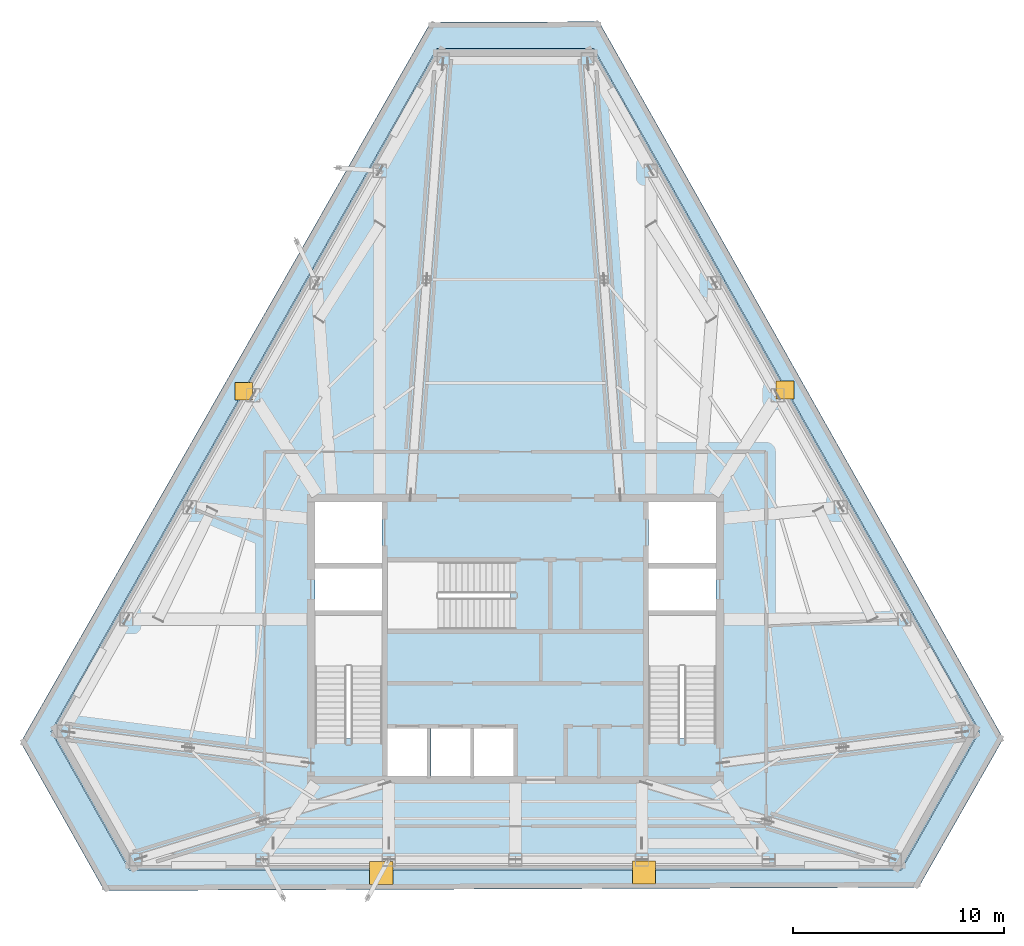
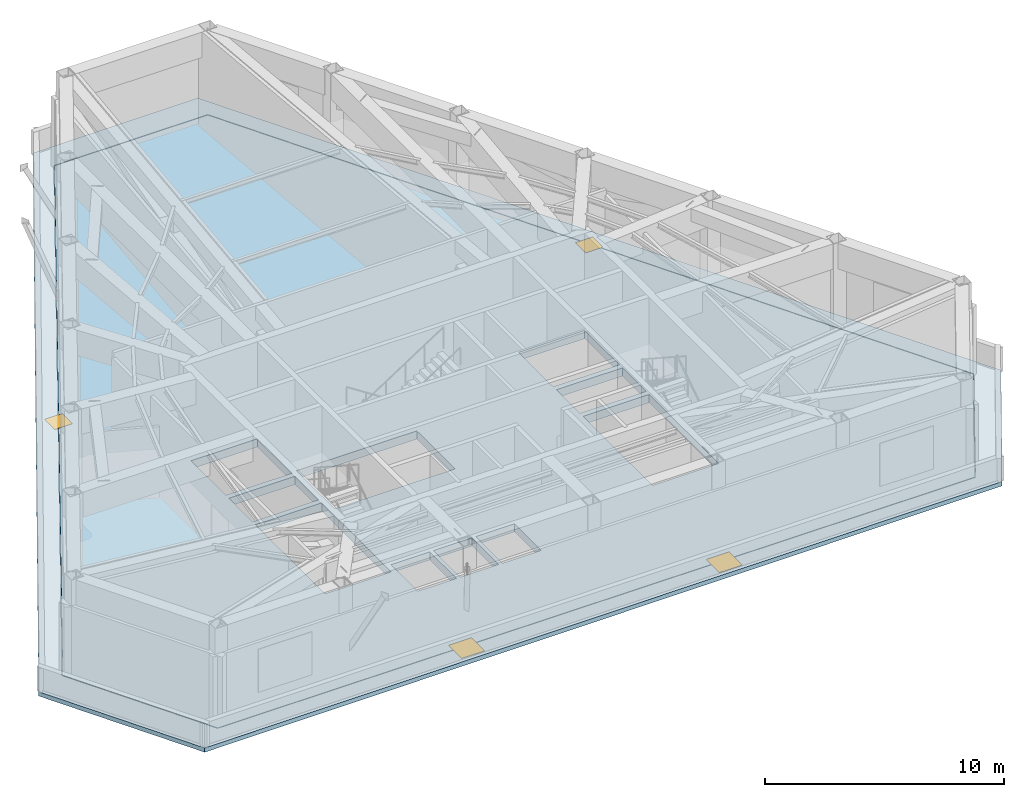
# One storey, part 4 of 13: 4 windows, 2 slabs, 4 openings.
"""IFC4 building model written with IfcOpenShell, lengths in metres."""

from ifc_helpers import new_model, si_unit, direction, frame, origin, origin_2d, place, context, subcontext, project, spatial, polyline, rectangle, outline, extrude, material, layer, layer_set, type_object, element, fill, save


model = new_model("IFC4")

# Units and contexts
model_context = context("Model", 3, precision=1e-05, world=origin(), true_north=direction((0.0, 1.0)))
body_context = subcontext(model_context, "Body", "Model", "MODEL_VIEW")
ifc_project = project(units=[si_unit("LENGTHUNIT", "METRE"), si_unit("AREAUNIT", "SQUARE_METRE"), si_unit("VOLUMEUNIT", "CUBIC_METRE"), si_unit("PLANEANGLEUNIT", "RADIAN"), si_unit("MASSUNIT", "GRAM", prefix="KILO")], contexts=[model_context])

# Site, building, storey
site_placement = place(None, origin())
site = spatial("IfcSite", under=ifc_project, at=site_placement, CompositionType="ELEMENT")
building_placement = place(site_placement, origin())
building = spatial("IfcBuilding", under=site, at=building_placement, Name="Kavelnor Concourse Tower", CompositionType="ELEMENT")
storey_placement = place(building_placement, frame((0.0, 0.0, 234.300048828125)))
storey = spatial("IfcBuildingStorey", under=building, at=storey_placement, Name="L59", CompositionType="ELEMENT", Elevation=234.300048828125)

# Slab, openings, windows
ifc_material_1 = material(Name="Concrete C40/50", Category="concrete")
ifc_layer_1 = layer(ifc_material_1, 0.219970703125, Name="Concrete C40/50")
ifc_layer_set_1 = layer_set([ifc_layer_1], Name="Concrete C40/50")
slab_type_1 = type_object("IfcSlabType", Name="SLB-SETBACK-ROOF-220", PredefinedType="ROOF", material=ifc_layer_set_1)
slab_1_placement = place(storey_placement, frame((0.0, 0.0, -0.219970703125)))
slab_1 = element("IfcSlab", 1, at=slab_1_placement, inside=storey, type_object=slab_type_1, Name="L59 Setback Structural Roof Slab 1", PredefinedType="ROOF", context=body_context, shape_type="SweptSolid", body=[
    extrude(outline(polyline([(61.170654296875, 11.36767578125), (57.147216796875, 4.299560546875), (18.482421875, 4.1484375), (14.51318359375, 11.185302734375), (33.976806640625, 45.377685546875), (41.96923828125, 45.4091796875), (61.170654296875, 11.36767578125)]), holes=[polyline([(34.27978515625, 44.143798828125), (15.952880859375, 11.70703125), (19.672607421875, 5.123291015625), (56.327392578125, 5.123291015625), (60.047119140625, 11.70703125), (41.72021484375, 44.143798828125), (34.27978515625, 44.143798828125)])]), origin(), (0.0, 0.0, 1.0), 0.219970703125),
])
opening_1_placement = place(slab_1_placement, frame((25.10498046875, 27.8583984375, 0.0)))
opening_1 = element("IfcOpeningElement", 2, at=opening_1_placement, cuts=slab_1, Name="Opening SK-01", PredefinedType="OPENING", context=body_context, shape_type="SweptSolid", body=[
    extrude(rectangle(XDim=0.85009765625, YDim=0.85009765625, at=origin_2d()), frame((0.0, 0.0, -0.010009765625)), (0.0, 0.0, 1.0), 0.239990234375),
])
opening_2_placement = place(slab_1_placement, frame((50.802490234375, 27.911865234375, 0.0)))
opening_2 = element("IfcOpeningElement", 3, at=opening_2_placement, cuts=slab_1, Name="Opening SK-01", PredefinedType="OPENING", context=body_context, shape_type="SweptSolid", body=[
    extrude(rectangle(XDim=0.85009765625, YDim=0.85009765625, at=origin_2d()), frame((0.0, 0.0, -0.010009765625)), (0.0, 0.0, 1.0), 0.239990234375),
])
opening_3_placement = place(slab_1_placement, frame((31.631591796875, 4.981201171875, 0.0)))
opening_3 = element("IfcOpeningElement", 4, at=opening_3_placement, cuts=slab_1, Name="Opening RH-01", PredefinedType="OPENING", context=body_context, shape_type="SweptSolid", body=[
    extrude(rectangle(XDim=1.10009765625, YDim=1.10009765625, at=origin_2d()), frame((0.0, 0.0, -0.010009765625)), (0.0, 0.0, 1.0), 0.239990234375),
])
opening_4_placement = place(slab_1_placement, frame((44.116455078125, 5.014892578125, 0.0)))
opening_4 = element("IfcOpeningElement", 5, at=opening_4_placement, cuts=slab_1, Name="Opening RH-01", PredefinedType="OPENING", context=body_context, shape_type="SweptSolid", body=[
    extrude(rectangle(XDim=1.10009765625, YDim=1.10009765625, at=origin_2d()), frame((0.0, 0.0, -0.010009765625)), (0.0, 0.0, 1.0), 0.239990234375),
])
ifc_material_2 = material(Name="Anodised aluminium 6063-T6", Category="aluminium")
window_type_1 = type_object("IfcWindowType", Name="WIN-ROOF-HATCH", PartitioningType="SINGLE_PANEL", PredefinedType="SKYLIGHT", material=ifc_material_2)
window_1_placement = place(opening_3_placement, frame((0.0, 0.0, 0.169921875)))
window_1 = element("IfcWindow", 6, at=window_1_placement, inside=storey, type_object=window_type_1, Name="L59 Setback Roof Access and Smoke Vent Hatch 1", OverallHeight=1.10009765625, OverallWidth=1.10009765625, PartitioningType="SINGLE_PANEL", PredefinedType="SKYLIGHT", context=body_context, shape_type="SweptSolid", body=[
    extrude(rectangle(XDim=1.10009765625, YDim=1.10009765625, at=origin_2d()), origin(), (0.0, 0.0, 1.0), 0.050048828125),
])
fill(opening_3, window_1)
window_2_placement = place(opening_4_placement, frame((0.0, 0.0, 0.169921875)))
window_2 = element("IfcWindow", 7, at=window_2_placement, inside=storey, type_object=window_type_1, Name="L59 Setback Roof Access and Smoke Vent Hatch 2", OverallHeight=1.10009765625, OverallWidth=1.10009765625, PartitioningType="SINGLE_PANEL", PredefinedType="SKYLIGHT", context=body_context, shape_type="SweptSolid", body=[
    extrude(rectangle(XDim=1.10009765625, YDim=1.10009765625, at=origin_2d()), origin(), (0.0, 0.0, 1.0), 0.050048828125),
])
fill(opening_4, window_2)
ifc_material_3 = material(Name="Double low-E argon insulated glazing", Category="glass")
window_type_2 = type_object("IfcWindowType", Name="WIN-ROOF-SKYLIGHT", PartitioningType="SINGLE_PANEL", PredefinedType="SKYLIGHT", material=ifc_material_3)
window_3_placement = place(opening_1_placement, frame((0.0, 0.0, 0.169921875)))
window_3 = element("IfcWindow", 8, at=window_3_placement, inside=storey, type_object=window_type_2, Name="L59 Setback Roof Framed Skylight 1", OverallHeight=0.85009765625, OverallWidth=0.85009765625, PartitioningType="SINGLE_PANEL", PredefinedType="SKYLIGHT", context=body_context, shape_type="SweptSolid", body=[
    extrude(rectangle(XDim=0.85009765625, YDim=0.85009765625, at=origin_2d()), origin(), (0.0, 0.0, 1.0), 0.050048828125),
])
fill(opening_1, window_3)
window_4_placement = place(opening_2_placement, frame((0.0, 0.0, 0.169921875)))
window_4 = element("IfcWindow", 9, at=window_4_placement, inside=storey, type_object=window_type_2, Name="L59 Setback Roof Framed Skylight 2", OverallHeight=0.85009765625, OverallWidth=0.85009765625, PartitioningType="SINGLE_PANEL", PredefinedType="SKYLIGHT", context=body_context, shape_type="SweptSolid", body=[
    extrude(rectangle(XDim=0.85009765625, YDim=0.85009765625, at=origin_2d()), origin(), (0.0, 0.0, 1.0), 0.050048828125),
])
fill(opening_2, window_4)

# Slab
ifc_material_4 = material(Name="Concrete C50/60", Category="concrete")
ifc_layer_2 = layer(ifc_material_4, 0.419921875, Name="Concrete C50/60")
ifc_layer_set_2 = layer_set([ifc_layer_2], Name="Concrete C50/60")
slab_type_2 = type_object("IfcSlabType", Name="SLB-XFER-MAT-420", PredefinedType="FLOOR", material=ifc_layer_set_2)
slab_2_placement = place(storey_placement, frame((0.0, 0.0, -0.420166015625)))
element("IfcSlab", 10, at=slab_2_placement, inside=storey, type_object=slab_type_2, Name="L59 Composite Structural Floor Slab", PredefinedType="FLOOR", context=body_context, shape_type="SweptSolid", body=[
    extrude(outline(polyline([(41.70849609375, 44.123779296875), (34.29150390625, 44.123779296875), (15.975830078125, 11.70703125), (19.684326171875, 5.143310546875), (56.315673828125, 5.143310546875), (60.024169921875, 11.70703125), (41.70849609375, 44.123779296875)]), holes=[polyline([(28.47998046875, 11.3798828125), (31.679931640625, 11.3798828125), (31.679931640625, 17.199951171875), (28.47998046875, 17.199951171875), (28.47998046875, 11.3798828125)]), polyline([(44.320068359375, 11.3798828125), (47.52001953125, 11.3798828125), (47.52001953125, 17.199951171875), (44.320068359375, 17.199951171875), (44.320068359375, 11.3798828125)]), polyline([(31.93994140625, 16.56005859375), (37.760009765625, 16.56005859375), (37.760009765625, 19.760009765625), (31.93994140625, 19.760009765625), (31.93994140625, 16.56005859375)]), polyline([(28.47998046875, 19.699951171875), (31.679931640625, 19.699951171875), (31.679931640625, 22.60009765625), (28.47998046875, 22.60009765625), (28.47998046875, 19.699951171875)]), polyline([(44.320068359375, 19.699951171875), (47.52001953125, 19.699951171875), (47.52001953125, 22.60009765625), (44.320068359375, 22.60009765625), (44.320068359375, 19.699951171875)]), polyline([(31.93994140625, 9.60009765625), (33.81005859375, 9.60009765625), (33.81005859375, 11.840087890625), (31.93994140625, 11.840087890625), (31.93994140625, 9.60009765625)]), polyline([(33.989990234375, 9.60009765625), (35.860107421875, 9.60009765625), (35.860107421875, 11.840087890625), (33.989990234375, 11.840087890625), (33.989990234375, 9.60009765625)]), polyline([(36.0400390625, 9.60009765625), (37.909912109375, 9.60009765625), (37.909912109375, 11.840087890625), (36.0400390625, 11.840087890625), (36.0400390625, 9.60009765625)]), polyline([(28.47998046875, 17.4599609375), (31.679931640625, 17.4599609375), (31.679931640625, 19.43994140625), (28.47998046875, 19.43994140625), (28.47998046875, 17.4599609375)]), polyline([(44.320068359375, 17.4599609375), (47.52001953125, 17.4599609375), (47.52001953125, 19.43994140625), (44.320068359375, 19.43994140625), (44.320068359375, 17.4599609375)])]), origin(), (0.0, 0.0, 1.0), 0.420166015625),
])

save(model, "model.ifc")
